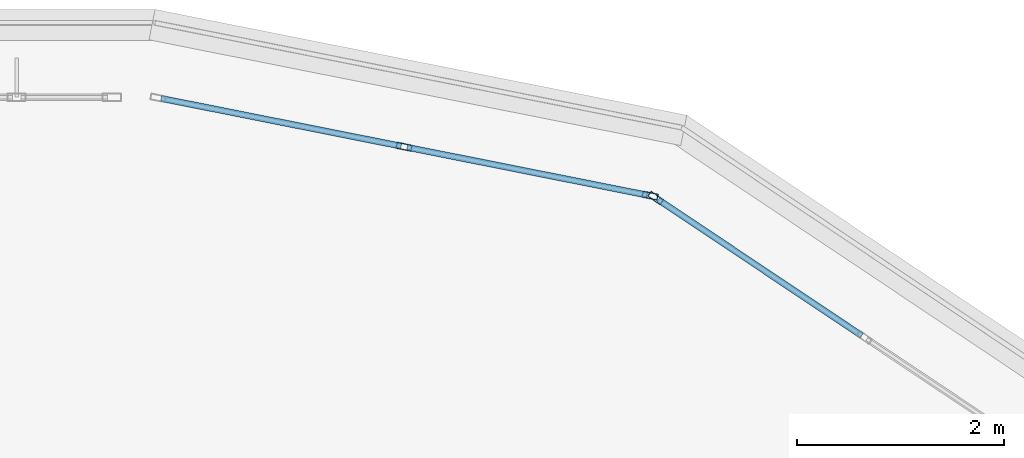
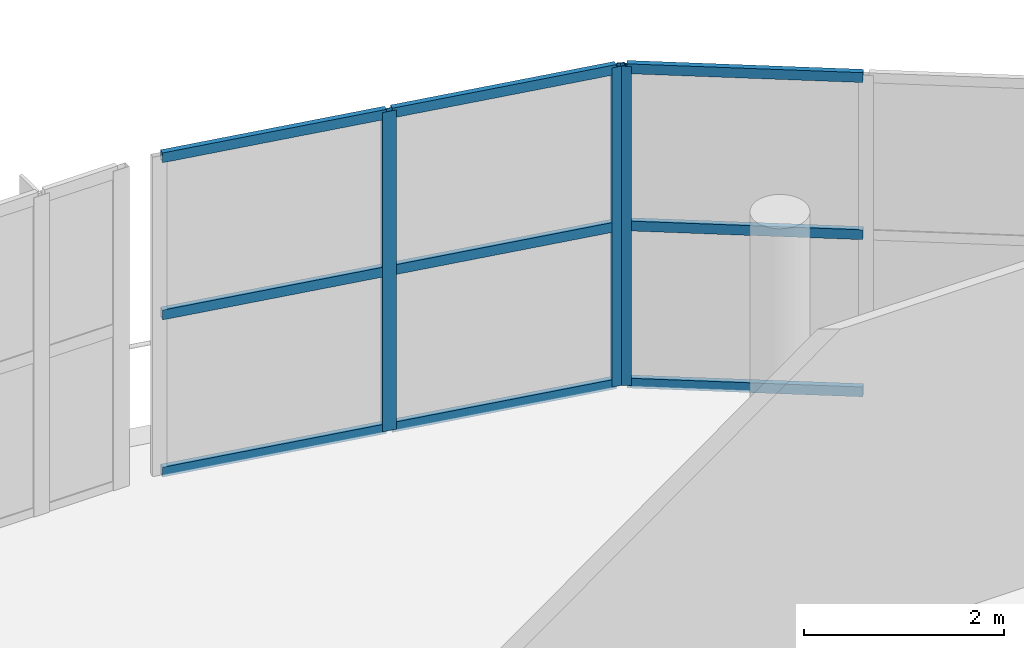
# One storey, part 34 of 56: 12 members, 2 elements without a shape of their own.
"""IFC4 building model written with IfcOpenShell, lengths in metres."""

from ifc_helpers import new_model, si_unit, direction, frame, origin, origin_2d, place, context, subcontext, project, spatial, hollow_rectangle, extrude, material, layer, layer_set, material_profile, profile_set, type_object, element, aggregate, save


model = new_model("IFC4")

# Units and contexts
model_context = context("Model", 3, precision=1e-05, world=origin(), true_north=direction((0.0, 1.0)))
body_context = subcontext(model_context, "Body", "Model", "MODEL_VIEW")
ifc_project = project(units=[si_unit("LENGTHUNIT", "METRE"), si_unit("AREAUNIT", "SQUARE_METRE"), si_unit("VOLUMEUNIT", "CUBIC_METRE"), si_unit("PLANEANGLEUNIT", "RADIAN"), si_unit("MASSUNIT", "GRAM", prefix="KILO")], contexts=[model_context])

# Site, building, storey
site_placement = place(None, origin())
site = spatial("IfcSite", under=ifc_project, at=site_placement, CompositionType="ELEMENT")
building_placement = place(site_placement, origin())
building = spatial("IfcBuilding", under=site, at=building_placement, Name="Zizhar Promenade General Hospital", CompositionType="ELEMENT")
storey_placement = place(building_placement, frame((0.0, 0.0, 26.39990234375)))
storey = spatial("IfcBuildingStorey", under=building, at=storey_placement, Name="L06", CompositionType="ELEMENT", Elevation=26.39990234375)

# Curtain wall, member
ifc_material_1 = material(Name="Anodised aluminium 6063-T6 and low-E glass", Category="aluminium")
ifc_layer = layer(ifc_material_1, 0.159912109375)
ifc_layer_set = layer_set([ifc_layer], Name="Anodised aluminium 6063-T6 and low-E glass")
curtain_wall_type = type_object("IfcCurtainWallType", Name="CW-WARD-ARC", PredefinedType="NOTDEFINED", material=ifc_layer_set)
curtain_wall_1_placement = place(storey_placement, origin())
curtain_wall_1 = element("IfcCurtainWall", 1, at=curtain_wall_1_placement, inside=storey, type_object=curtain_wall_type, Name="Ward Semicircular End Glazing L06-07", PredefinedType="NOTDEFINED")
ifc_material_2 = material(Name="Anodised aluminium 6063-T6", Category="aluminium")
ifc_material_profile_1 = material_profile(ifc_material_2, hollow_rectangle(XDim=0.06005859375, YDim=0.14990234375, WallThickness=0.00390625, at=origin_2d()))
ifc_profile_set_1 = profile_set([ifc_material_profile_1], Name="Anodised aluminium 6063-T6")
member_type_1 = type_object("IfcMemberType", Name="CWM-ALU-150x60", PredefinedType="MULLION", material=ifc_profile_set_1)
member_1_placement = place(storey_placement, frame((118.8466796875, 24.22412109375, 0.0), z_axis=(0.0, 0.0, 1.0), x_axis=(0.555582352095, 0.831461514468, 0.0)))
member_1 = element("IfcMember", 2, at=member_1_placement, type_object=member_type_1, Name="CW-12 mullion 1", PredefinedType="MULLION", context=body_context, shape_type="SweptSolid", body=[
    extrude(hollow_rectangle(XDim=0.06005859375, YDim=0.14990234375, WallThickness=0.00390625, at=origin_2d()), origin(), (0.0, 0.0, 1.0), 3.900146484375),
])

# Curtain wall, members
curtain_wall_2_placement = place(storey_placement, origin())
curtain_wall_2 = element("IfcCurtainWall", 3, at=curtain_wall_2_placement, inside=storey, type_object=curtain_wall_type, Name="Ward Semicircular End Glazing L06-08", PredefinedType="NOTDEFINED")
member_2_placement = place(storey_placement, frame((116.410888671875, 24.720458984375, 0.0), z_axis=(0.0, 0.0, 1.0), x_axis=(0.195087259275, 0.980785889615, 0.0)))
member_2 = element("IfcMember", 4, at=member_2_placement, type_object=member_type_1, Name="CW-12 mullion 2", PredefinedType="MULLION", context=body_context, shape_type="SweptSolid", body=[
    extrude(hollow_rectangle(XDim=0.06005859375, YDim=0.14990234375, WallThickness=0.00390625, at=origin_2d()), origin(), (0.0, 0.0, 1.0), 3.900146484375),
])
member_3_placement = place(storey_placement, frame((118.79248046875, 24.246826171875, 0.0), z_axis=(0.0, 0.0, 1.0), x_axis=(0.195087259275, 0.980785889615, 0.0)))
member_3 = element("IfcMember", 5, at=member_3_placement, type_object=member_type_1, Name="CW-12 mullion 3", PredefinedType="MULLION", context=body_context, shape_type="SweptSolid", body=[
    extrude(hollow_rectangle(XDim=0.06005859375, YDim=0.14990234375, WallThickness=0.00390625, at=origin_2d()), origin(), (0.0, 0.0, 1.0), 3.900146484375),
])

# Member
ifc_material_3 = material(Name="Anodised aluminium 6063-T6", Category="aluminium")
ifc_material_profile_2 = material_profile(ifc_material_3, hollow_rectangle(XDim=0.06005859375, YDim=0.1201171875, WallThickness=0.00390625, at=origin_2d()))
ifc_profile_set_2 = profile_set([ifc_material_profile_2], Name="Anodised aluminium 6063-T6")
member_type_2 = type_object("IfcMemberType", Name="CWT-ALU-120x60", PredefinedType="USERDEFINED", material=ifc_profile_set_2)
member_4_placement = place(storey_placement, frame((118.87158203125, 24.20751953125, 0.030029296875), z_axis=(0.831494797197, -0.555532539312, 0.0), x_axis=(0.555532539312, 0.831494797197, 0.0)))
member_4 = element("IfcMember", 6, at=member_4_placement, type_object=member_type_2, Name="CW-12 transom 1.1", ObjectType="TRANSOM", PredefinedType="USERDEFINED", context=body_context, shape_type="SweptSolid", body=[
    extrude(hollow_rectangle(XDim=0.06005859375, YDim=0.1201171875, WallThickness=0.00390625, at=origin_2d()), origin(), (0.0, 0.0, 1.0), 2.368408203125),
])

member_5_placement = place(storey_placement, frame((118.87158203125, 24.20751953125, 1.9501953125), z_axis=(0.831494797197, -0.555532539312, 0.0), x_axis=(0.555532539312, 0.831494797197, 0.0)))
member_5 = element("IfcMember", 7, at=member_5_placement, type_object=member_type_2, Name="CW-12 transom 1.2", ObjectType="TRANSOM", PredefinedType="USERDEFINED", context=body_context, shape_type="SweptSolid", body=[
    extrude(hollow_rectangle(XDim=0.06005859375, YDim=0.1201171875, WallThickness=0.00390625, at=origin_2d()), origin(), (0.0, 0.0, 1.0), 2.368408203125),
])

member_6_placement = place(storey_placement, frame((118.87158203125, 24.20751953125, 3.8701171875), z_axis=(0.831494797197, -0.555532539312, 0.0), x_axis=(0.555532539312, 0.831494797197, 0.0)))
member_6 = element("IfcMember", 8, at=member_6_placement, type_object=member_type_2, Name="CW-12 transom 1.3", ObjectType="TRANSOM", PredefinedType="USERDEFINED", context=body_context, shape_type="SweptSolid", body=[
    extrude(hollow_rectangle(XDim=0.06005859375, YDim=0.1201171875, WallThickness=0.00390625, at=origin_2d()), origin(), (0.0, 0.0, 1.0), 2.368408203125),
])

aggregate(curtain_wall_1, [member_1, member_4, member_5, member_6])

member_7_placement = place(storey_placement, frame((114.058837890625, 25.188232421875, 0.030029296875), z_axis=(0.980794200422, -0.195045472693, 0.0), x_axis=(0.195045472693, 0.980794200422, 0.0)))
member_7 = element("IfcMember", 9, at=member_7_placement, type_object=member_type_2, Name="CW-12 transom 1.1", ObjectType="TRANSOM", PredefinedType="USERDEFINED", context=body_context, shape_type="SweptSolid", body=[
    extrude(hollow_rectangle(XDim=0.06005859375, YDim=0.1201171875, WallThickness=0.00390625, at=origin_2d()), origin(), (0.0, 0.0, 1.0), 2.3681640625),
])

member_8_placement = place(storey_placement, frame((114.058837890625, 25.188232421875, 1.9501953125), z_axis=(0.980794200422, -0.195045472693, 0.0), x_axis=(0.195045472693, 0.980794200422, 0.0)))
member_8 = element("IfcMember", 10, at=member_8_placement, type_object=member_type_2, Name="CW-12 transom 1.2", ObjectType="TRANSOM", PredefinedType="USERDEFINED", context=body_context, shape_type="SweptSolid", body=[
    extrude(hollow_rectangle(XDim=0.06005859375, YDim=0.1201171875, WallThickness=0.00390625, at=origin_2d()), origin(), (0.0, 0.0, 1.0), 2.3681640625),
])

member_9_placement = place(storey_placement, frame((114.058837890625, 25.188232421875, 3.8701171875), z_axis=(0.980794200422, -0.195045472693, 0.0), x_axis=(0.195045472693, 0.980794200422, 0.0)))
member_9 = element("IfcMember", 11, at=member_9_placement, type_object=member_type_2, Name="CW-12 transom 1.3", ObjectType="TRANSOM", PredefinedType="USERDEFINED", context=body_context, shape_type="SweptSolid", body=[
    extrude(hollow_rectangle(XDim=0.06005859375, YDim=0.1201171875, WallThickness=0.00390625, at=origin_2d()), origin(), (0.0, 0.0, 1.0), 2.3681640625),
])

member_10_placement = place(storey_placement, frame((116.4404296875, 24.714599609375, 0.030029296875), z_axis=(0.980790278018, -0.195065195628, 0.0), x_axis=(0.195065195628, 0.980790278018, 0.0)))
member_10 = element("IfcMember", 12, at=member_10_placement, type_object=member_type_2, Name="CW-12 transom 2.1", ObjectType="TRANSOM", PredefinedType="USERDEFINED", context=body_context, shape_type="SweptSolid", body=[
    extrude(hollow_rectangle(XDim=0.06005859375, YDim=0.1201171875, WallThickness=0.00390625, at=origin_2d()), origin(), (0.0, 0.0, 1.0), 2.367919921875),
])

member_11_placement = place(storey_placement, frame((116.4404296875, 24.714599609375, 1.9501953125), z_axis=(0.980790278018, -0.195065195628, 0.0), x_axis=(0.195065195628, 0.980790278018, 0.0)))
member_11 = element("IfcMember", 13, at=member_11_placement, type_object=member_type_2, Name="CW-12 transom 2.2", ObjectType="TRANSOM", PredefinedType="USERDEFINED", context=body_context, shape_type="SweptSolid", body=[
    extrude(hollow_rectangle(XDim=0.06005859375, YDim=0.1201171875, WallThickness=0.00390625, at=origin_2d()), origin(), (0.0, 0.0, 1.0), 2.367919921875),
])

member_12_placement = place(storey_placement, frame((116.4404296875, 24.714599609375, 3.8701171875), z_axis=(0.980790278018, -0.195065195628, 0.0), x_axis=(0.195065195628, 0.980790278018, 0.0)))
member_12 = element("IfcMember", 14, at=member_12_placement, type_object=member_type_2, Name="CW-12 transom 2.3", ObjectType="TRANSOM", PredefinedType="USERDEFINED", context=body_context, shape_type="SweptSolid", body=[
    extrude(hollow_rectangle(XDim=0.06005859375, YDim=0.1201171875, WallThickness=0.00390625, at=origin_2d()), origin(), (0.0, 0.0, 1.0), 2.367919921875),
])

aggregate(curtain_wall_2, [member_2, member_3, member_7, member_8, member_9, member_10, member_11, member_12])

save(model, "model.ifc")
